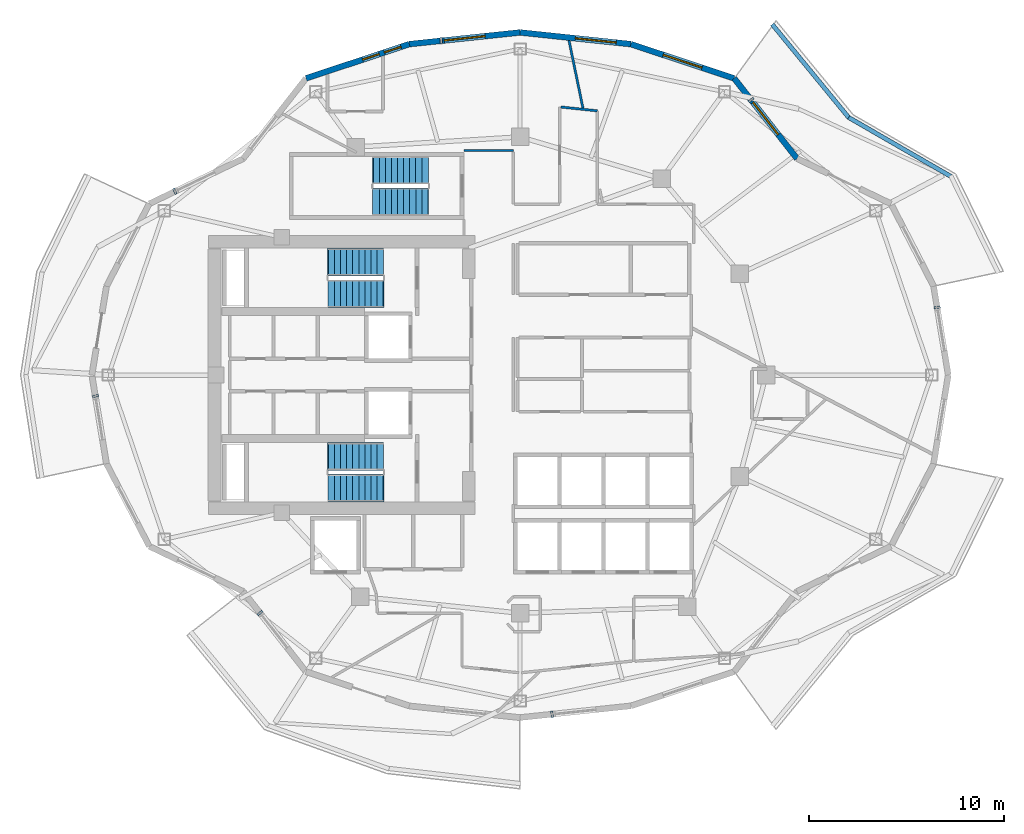
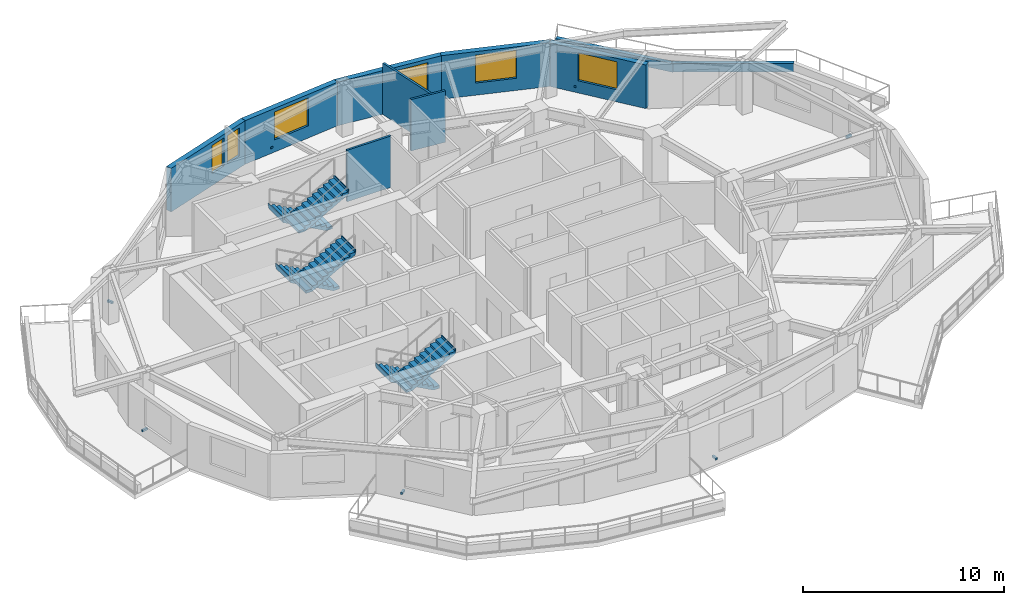
# One storey, part 7 of 10: 10 walls, 7 discrete accessories, 6 stair flights, 6 windows, 6 openings, 3 elements without a shape of their own.
"""IFC4 building model written with IfcOpenShell, lengths in metres."""

from ifc_helpers import new_model, si_unit, direction, frame, frame_2d, origin, origin_2d, place, context, subcontext, project, spatial, polyline, rectangle, outline, extrude, material, layer, layer_set, type_object, element, fill, aggregate, save


model = new_model("IFC4")

# Units and contexts
model_context = context("Model", 3, precision=1e-05, world=origin(), true_north=direction((0.0, 1.0)))
body_context = subcontext(model_context, "Body", "Model", "MODEL_VIEW")
ifc_project = project(units=[si_unit("LENGTHUNIT", "METRE"), si_unit("AREAUNIT", "SQUARE_METRE"), si_unit("VOLUMEUNIT", "CUBIC_METRE"), si_unit("PLANEANGLEUNIT", "RADIAN"), si_unit("MASSUNIT", "GRAM", prefix="KILO")], contexts=[model_context])

# Site, building, storey
site_placement = place(None, origin())
site = spatial("IfcSite", under=ifc_project, at=site_placement, CompositionType="ELEMENT")
building_placement = place(site_placement, origin())
building = spatial("IfcBuilding", under=site, at=building_placement, Name="Kolvaren Gate Tower and Convention Centre", CompositionType="ELEMENT")
storey_placement = place(building_placement, frame((0.0, 0.0, 152.89990234375)))
storey = spatial("IfcBuildingStorey", under=building, at=storey_placement, Name="L39", CompositionType="ELEMENT", Elevation=152.89990234375)

# Walls
ifc_material_1 = material(Name="Fire-Rated Acoustic Gypsum Stud Partition", Category="gypsum")
ifc_layer_1 = layer(ifc_material_1, 0.1201171875)
ifc_layer_set_1 = layer_set([ifc_layer_1], Name="Fire-Rated Acoustic Gypsum Stud Partition")
wall_type_1 = type_object("IfcWallType", Name="ARCH-WL-PART-120", PredefinedType="PARTITIONING", material=ifc_layer_set_1)
wall_1_placement = place(storey_placement, frame((27.25, 38.5, 0.0), z_axis=(0.0, 0.0, 1.0), x_axis=(1.0, 0.0, 0.0)))
element("IfcWall", 1, at=wall_1_placement, inside=storey, type_object=wall_type_1, Name="Interior Partition WL-L39-INT-039", PredefinedType="PARTITIONING", context=body_context, shape_type="SweptSolid", body=[
    extrude(rectangle(XDim=2.530029296875, YDim=0.1201171875, at=frame_2d((1.26513671875, 0.0))), origin(), (0.0, 0.0, 1.0), 3.130126953125),
])
wall_2_placement = place(storey_placement, frame((32.2119140625, 40.73046875, 0.0), z_axis=(0.0, 0.0, 1.0), x_axis=(0.994511860417, -0.104623895405, 0.0)))
element("IfcWall", 2, at=wall_2_placement, inside=storey, type_object=wall_type_1, Name="Interior Partition WL-L39-INT-047", PredefinedType="PARTITIONING", context=body_context, shape_type="SweptSolid", body=[
    extrude(rectangle(XDim=1.87841796875, YDim=0.1201171875, at=frame_2d((0.939208984375, 0.0))), origin(), (0.0, 0.0, 1.0), 3.130126953125),
])
wall_3_placement = place(storey_placement, frame((32.63134765625, 44.13330078125, 0.0), z_axis=(0.0, 0.0, 1.0), x_axis=(0.202079954577, -0.979369027465, 0.0)))
element("IfcWall", 3, at=wall_3_placement, inside=storey, type_object=wall_type_1, Name="Interior Partition WL-L39-INT-065", PredefinedType="PARTITIONING", context=body_context, shape_type="SweptSolid", body=[
    extrude(rectangle(XDim=3.53271484375, YDim=0.1201171875, at=frame_2d((1.766357421875, 0.0))), origin(), (0.0, 0.0, 1.0), 3.130126953125),
])
ifc_material_2 = material(Name="Piedmont Cream Honed Limestone Cladding", Category="masonry")
ifc_layer_2 = layer(ifc_material_2, 0.219970703125)
ifc_layer_set_2 = layer_set([ifc_layer_2], Name="Piedmont Cream Honed Limestone Cladding")
wall_type_2 = type_object("IfcWallType", Name="ARCH-WL-PLANTER-220", PredefinedType="PARAPET", material=ifc_layer_set_2)
wall_4_placement = place(storey_placement, frame((46.95751953125, 40.1953125, 0.0), z_axis=(0.0, 0.0, 1.0), x_axis=(0.866058128659, -0.499943314571, 0.0)))
element("IfcWall", 4, at=wall_4_placement, inside=storey, type_object=wall_type_2, Name="Vertical-Forest Balcony Stone Planter Kerb PK-L39-1.2", PredefinedType="PARAPET", context=body_context, shape_type="SweptSolid", body=[
    extrude(rectangle(XDim=6.060302734375, YDim=0.219970703125, at=frame_2d((3.0302734375, 0.0))), origin(), (0.0, 0.0, 1.0), 0.52001953125),
])
wall_5_placement = place(storey_placement, frame((43.0419921875, 44.96435546875, 0.0), z_axis=(0.0, 0.0, 1.0), x_axis=(0.634429234628, -0.77298094818, 0.0)))
element("IfcWall", 5, at=wall_5_placement, inside=storey, type_object=wall_type_2, Name="Vertical-Forest Balcony Stone Planter Kerb PK-L39-1.3", PredefinedType="PARAPET", context=body_context, shape_type="SweptSolid", body=[
    extrude(rectangle(XDim=6.244873046875, YDim=0.219970703125, at=frame_2d((3.12255859375, 0.0))), origin(), (0.0, 0.0, 1.0), 0.52001953125),
])

# Wall, opening, window
ifc_layer_3 = layer(ifc_material_2, 0.300048828125)
ifc_layer_set_3 = layer_set([ifc_layer_3], Name="Piedmont Cream Honed Limestone Cladding")
wall_type_3 = type_object("IfcWallType", Name="ARCH-WL-STONE-300", PredefinedType="SOLIDWALL", material=ifc_layer_set_3)
wall_6_placement = place(storey_placement, frame((41.09375, 42.19873046875, 0.0), z_axis=(0.0, 0.0, 1.0), x_axis=(0.616429245738, -0.787410302828, 0.0)))
wall_6 = element("IfcWall", 6, at=wall_6_placement, inside=storey, type_object=wall_type_3, Name="Tower L39 Honed Stone Spandrel Wall EW-03", PredefinedType="SOLIDWALL", context=body_context, shape_type="SweptSolid", body=[
    extrude(rectangle(XDim=5.22314453125, YDim=0.300048828125, at=frame_2d((2.611572265625, 0.0))), origin(), (0.0, 0.0, 1.0), 2.653076171875),
])
opening_1_placement = place(wall_6_placement, frame((1.56201171875, 0.0, 0.739990234375)))
opening_1 = element("IfcOpeningElement", 7, at=opening_1_placement, cuts=wall_6, Name="Opening W-02", PredefinedType="OPENING", context=body_context, shape_type="SweptSolid", body=[
    extrude(rectangle(XDim=2.10009765625, YDim=1.699951171875, at=frame_2d((1.050048828125, 0.85009765625))), frame((0.0, 0.159912109375, 0.0), z_axis=(0.0, -1.0, 0.0), x_axis=(1.0, 0.0, 0.0)), (0.0, 0.0, 1.0), 0.320068359375),
])
ifc_material_3 = material(Name="Low-E Triple Insulated Glazing Unit 44 mm", Category="glass")
window_type_1 = type_object("IfcWindowType", Name="ARCH-WN-HTL-2100", PartitioningType="SINGLE_PANEL", PredefinedType="WINDOW", material=ifc_material_3)
window_1_placement = place(opening_1_placement, origin())
window_1 = element("IfcWindow", 8, at=window_1_placement, inside=storey, type_object=window_type_1, Name="Tower L39 Punched Stone Facade Window W-03", OverallHeight=1.699951171875, OverallWidth=2.10009765625, PartitioningType="SINGLE_PANEL", PredefinedType="WINDOW", context=body_context, shape_type="SweptSolid", body=[
    extrude(rectangle(XDim=2.10009765625, YDim=1.699951171875, at=frame_2d((1.050048828125, 0.85009765625))), frame((0.0, 0.030029296875, 0.0), z_axis=(0.0, -1.0, 0.0), x_axis=(1.0, 0.0, 0.0)), (0.0, 0.0, 1.0), 0.06005859375),
])
fill(opening_1, window_1)

wall_7_placement = place(storey_placement, frame((35.802734375, 43.951904296875, 0.0), z_axis=(0.0, 0.0, 1.0), x_axis=(0.949246811547, -0.314532177636, 0.0)))
wall_7 = element("IfcWall", 9, at=wall_7_placement, inside=storey, type_object=wall_type_3, Name="Tower L39 Honed Stone Spandrel Wall EW-04", PredefinedType="SOLIDWALL", context=body_context, shape_type="SweptSolid", body=[
    extrude(rectangle(XDim=5.573974609375, YDim=0.300048828125, at=frame_2d((2.787109375, 0.0))), origin(), (0.0, 0.0, 1.0), 2.653076171875),
])
opening_2_placement = place(wall_7_placement, frame((1.737060546875, 0.0, 0.739990234375)))
opening_2 = element("IfcOpeningElement", 10, at=opening_2_placement, cuts=wall_7, Name="Opening W-02", PredefinedType="OPENING", context=body_context, shape_type="SweptSolid", body=[
    extrude(rectangle(XDim=2.10009765625, YDim=1.699951171875, at=frame_2d((1.050048828125, 0.85009765625))), frame((0.0, 0.159912109375, 0.0), z_axis=(0.0, -1.0, 0.0), x_axis=(1.0, 0.0, 0.0)), (0.0, 0.0, 1.0), 0.320068359375),
])
window_2_placement = place(opening_2_placement, origin())
window_2 = element("IfcWindow", 11, at=window_2_placement, inside=storey, type_object=window_type_1, Name="Tower L39 Punched Stone Facade Window W-04", OverallHeight=1.699951171875, OverallWidth=2.10009765625, PartitioningType="SINGLE_PANEL", PredefinedType="WINDOW", context=body_context, shape_type="SweptSolid", body=[
    extrude(rectangle(XDim=2.10009765625, YDim=1.699951171875, at=frame_2d((1.050048828125, 0.85009765625))), frame((0.0, 0.030029296875, 0.0), z_axis=(0.0, -1.0, 0.0), x_axis=(1.0, 0.0, 0.0)), (0.0, 0.0, 1.0), 0.06005859375),
])
fill(opening_2, window_2)

wall_8_placement = place(storey_placement, frame((30.125, 44.550048828125, 0.0), z_axis=(0.0, 0.0, 1.0), x_axis=(0.994496545245, -0.104769372887, 0.0)))
wall_8 = element("IfcWall", 12, at=wall_8_placement, inside=storey, type_object=wall_type_3, Name="Tower L39 Honed Stone Spandrel Wall EW-05", PredefinedType="SOLIDWALL", context=body_context, shape_type="SweptSolid", body=[
    extrude(rectangle(XDim=5.709228515625, YDim=0.300048828125, at=frame_2d((2.8544921875, 0.0))), origin(), (0.0, 0.0, 1.0), 2.653076171875),
])
opening_3_placement = place(wall_8_placement, frame((2.85009765625, 0.0, 0.739990234375)))
opening_3 = element("IfcOpeningElement", 13, at=opening_3_placement, cuts=wall_8, Name="Opening W-02", PredefinedType="OPENING", context=body_context, shape_type="SweptSolid", body=[
    extrude(rectangle(XDim=2.10009765625, YDim=1.699951171875, at=frame_2d((1.050048828125, 0.85009765625))), frame((0.0, 0.159912109375, 0.0), z_axis=(0.0, -1.0, 0.0), x_axis=(1.0, 0.0, 0.0)), (0.0, 0.0, 1.0), 0.320068359375),
])
window_3_placement = place(opening_3_placement, origin())
window_3 = element("IfcWindow", 14, at=window_3_placement, inside=storey, type_object=window_type_1, Name="Tower L39 Punched Stone Facade Window W-05", OverallHeight=1.699951171875, OverallWidth=2.10009765625, PartitioningType="SINGLE_PANEL", PredefinedType="WINDOW", context=body_context, shape_type="SweptSolid", body=[
    extrude(rectangle(XDim=2.10009765625, YDim=1.699951171875, at=frame_2d((1.050048828125, 0.85009765625))), frame((0.0, 0.030029296875, 0.0), z_axis=(0.0, -1.0, 0.0), x_axis=(1.0, 0.0, 0.0)), (0.0, 0.0, 1.0), 0.06005859375),
])
fill(opening_3, window_3)

wall_9_placement = place(storey_placement, frame((24.447265625, 43.951904296875, 0.0), z_axis=(0.0, 0.0, 1.0), x_axis=(0.994496545245, 0.104769372887, 0.0)))
wall_9 = element("IfcWall", 15, at=wall_9_placement, inside=storey, type_object=wall_type_3, Name="Tower L39 Honed Stone Spandrel Wall EW-06", PredefinedType="SOLIDWALL", context=body_context, shape_type="SweptSolid", body=[
    extrude(rectangle(XDim=5.709228515625, YDim=0.300048828125, at=frame_2d((2.8544921875, 0.0))), origin(), (0.0, 0.0, 1.0), 2.653076171875),
])
opening_4_placement = place(wall_9_placement, frame((1.804931640625, 0.0, 0.739990234375)))
opening_4 = element("IfcOpeningElement", 16, at=opening_4_placement, cuts=wall_9, Name="Opening W-02", PredefinedType="OPENING", context=body_context, shape_type="SweptSolid", body=[
    extrude(rectangle(XDim=2.10009765625, YDim=1.699951171875, at=frame_2d((1.050048828125, 0.85009765625))), frame((0.0, 0.159912109375, 0.0), z_axis=(0.0, -1.0, 0.0), x_axis=(1.0, 0.0, 0.0)), (0.0, 0.0, 1.0), 0.320068359375),
])
window_4_placement = place(opening_4_placement, origin())
window_4 = element("IfcWindow", 17, at=window_4_placement, inside=storey, type_object=window_type_1, Name="Tower L39 Punched Stone Facade Window W-06", OverallHeight=1.699951171875, OverallWidth=2.10009765625, PartitioningType="SINGLE_PANEL", PredefinedType="WINDOW", context=body_context, shape_type="SweptSolid", body=[
    extrude(rectangle(XDim=2.10009765625, YDim=1.699951171875, at=frame_2d((1.050048828125, 0.85009765625))), frame((0.0, 0.030029296875, 0.0), z_axis=(0.0, -1.0, 0.0), x_axis=(1.0, 0.0, 0.0)), (0.0, 0.0, 1.0), 0.06005859375),
])
fill(opening_4, window_4)

# Wall, openings, windows
wall_10_placement = place(storey_placement, frame((19.15625, 42.19873046875, 0.0), z_axis=(0.0, 0.0, 1.0), x_axis=(0.949246811547, 0.314532177636, 0.0)))
wall_10 = element("IfcWall", 18, at=wall_10_placement, inside=storey, type_object=wall_type_3, Name="Tower L39 Honed Stone Spandrel Wall EW-07", PredefinedType="SOLIDWALL", context=body_context, shape_type="SweptSolid", body=[
    extrude(rectangle(XDim=5.573974609375, YDim=0.300048828125, at=frame_2d((2.787109375, 0.0))), origin(), (0.0, 0.0, 1.0), 2.653076171875),
])
opening_5_placement = place(wall_10_placement, frame((3.05322265625, 0.0, 0.739990234375)))
opening_5 = element("IfcOpeningElement", 19, at=opening_5_placement, cuts=wall_10, Name="Opening W-06", PredefinedType="OPENING", context=body_context, shape_type="SweptSolid", body=[
    extrude(rectangle(XDim=0.89990234375, YDim=1.699951171875, at=frame_2d((0.449951171875, 0.85009765625))), frame((0.0, 0.159912109375, 0.0), z_axis=(0.0, -1.0, 0.0), x_axis=(1.0, 0.0, 0.0)), (0.0, 0.0, 1.0), 0.320068359375),
])
opening_6_placement = place(wall_10_placement, frame((4.234130859375, 0.0, 0.739990234375)))
opening_6 = element("IfcOpeningElement", 20, at=opening_6_placement, cuts=wall_10, Name="Opening W-06", PredefinedType="OPENING", context=body_context, shape_type="SweptSolid", body=[
    extrude(rectangle(XDim=0.89990234375, YDim=1.699951171875, at=frame_2d((0.449951171875, 0.85009765625))), frame((0.0, 0.159912109375, 0.0), z_axis=(0.0, -1.0, 0.0), x_axis=(1.0, 0.0, 0.0)), (0.0, 0.0, 1.0), 0.320068359375),
])
window_type_2 = type_object("IfcWindowType", Name="ARCH-WN-PUNCH-900", PartitioningType="SINGLE_PANEL", PredefinedType="WINDOW", material=ifc_material_3)
window_5_placement = place(opening_5_placement, origin())
window_5 = element("IfcWindow", 21, at=window_5_placement, inside=storey, type_object=window_type_2, Name="Tower L39 Punched Stone Facade Window W-07", OverallHeight=1.699951171875, OverallWidth=0.89990234375, PartitioningType="SINGLE_PANEL", PredefinedType="WINDOW", context=body_context, shape_type="SweptSolid", body=[
    extrude(rectangle(XDim=0.89990234375, YDim=1.699951171875, at=frame_2d((0.449951171875, 0.85009765625))), frame((0.0, 0.030029296875, 0.0), z_axis=(0.0, -1.0, 0.0), x_axis=(1.0, 0.0, 0.0)), (0.0, 0.0, 1.0), 0.06005859375),
])
fill(opening_5, window_5)
window_6_placement = place(opening_6_placement, origin())
window_6 = element("IfcWindow", 22, at=window_6_placement, inside=storey, type_object=window_type_2, Name="Tower L39 Punched Stone Facade Window W-07B", OverallHeight=1.699951171875, OverallWidth=0.89990234375, PartitioningType="SINGLE_PANEL", PredefinedType="WINDOW", context=body_context, shape_type="SweptSolid", body=[
    extrude(rectangle(XDim=0.89990234375, YDim=1.699951171875, at=frame_2d((0.449951171875, 0.85009765625))), frame((0.0, 0.030029296875, 0.0), z_axis=(0.0, -1.0, 0.0), x_axis=(1.0, 0.0, 0.0)), (0.0, 0.0, 1.0), 0.06005859375),
])
fill(opening_6, window_6)

# Stair, stair flights
ifc_material_4 = material(Name="Concrete C50/60", Category="concrete")
stair_type = type_object("IfcStairType", Name="STR-STAIR-CORE", PredefinedType="HALF_TURN_STAIR", material=ifc_material_4)
stair_1_placement = place(storey_placement, origin())
stair_1 = element("IfcStair", 23, at=stair_1_placement, inside=storey, type_object=stair_type, Name="L39 Tower North Exit Stair ST-T1", PredefinedType="HALF_TURN_STAIR")
stair_flight_type = type_object("IfcStairFlightType", Name="STR-SFL-1420", PredefinedType="STRAIGHT", material=ifc_material_4)
stair_flight_1_placement = place(storey_placement, frame((23.10009765625, 32.7900390625, 0.0), z_axis=(0.0, 0.0, 1.0), x_axis=(-1.0, 0.0, 0.0)))
stair_flight_1 = element("IfcStairFlight", 24, at=stair_flight_1_placement, type_object=stair_flight_type, Name="ST-T1 flight 1", NumberOfRisers=10, NumberOfTreads=9, PredefinedType="STRAIGHT", RiserHeight=0.17, TreadLength=0.31, context=body_context, shape_type="SweptSolid", body=[
    extrude(outline(polyline([(-0.034912109375, 0.0), (-0.034912109375, 0.169921875), (0.31005859375, 0.169921875), (0.31005859375, 0.340087890625), (0.6201171875, 0.340087890625), (0.6201171875, 0.510009765625), (0.929931640625, 0.510009765625), (0.929931640625, 0.679931640625), (1.239990234375, 0.679931640625), (1.239990234375, 0.85009765625), (1.550048828125, 0.85009765625), (1.550048828125, 1.02001953125), (1.860107421875, 1.02001953125), (1.860107421875, 1.18994140625), (2.169921875, 1.18994140625), (2.169921875, 1.360107421875), (2.47998046875, 1.360107421875), (2.47998046875, 1.530029296875), (2.7900390625, 1.530029296875), (2.7900390625, 1.699951171875), (2.8349609375, 1.699951171875), (2.8349609375, 1.5400390625), (2.7900390625, 1.359130859375), (0.311767578125, 0.0), (-0.034912109375, 0.0)])), frame((0.0, 0.7099609375, 0.0), z_axis=(0.0, -1.0, 0.0), x_axis=(1.0, 0.0, 0.0)), (0.0, 0.0, 1.0), 1.419921875),
])
stair_flight_2_placement = place(storey_placement, frame((20.31005859375, 31.169921875, 1.7001953125), z_axis=(0.0, 0.0, 1.0), x_axis=(1.0, 0.0, 0.0)))
stair_flight_2 = element("IfcStairFlight", 25, at=stair_flight_2_placement, type_object=stair_flight_type, Name="ST-T1 flight 2", NumberOfRisers=10, NumberOfTreads=9, PredefinedType="STRAIGHT", RiserHeight=0.17, TreadLength=0.31, context=body_context, shape_type="SweptSolid", body=[
    extrude(outline(polyline([(-0.034912109375, 0.0), (-0.034912109375, 0.169921875), (0.31005859375, 0.169921875), (0.31005859375, 0.340087890625), (0.6201171875, 0.340087890625), (0.6201171875, 0.510009765625), (0.929931640625, 0.510009765625), (0.929931640625, 0.679931640625), (1.239990234375, 0.679931640625), (1.239990234375, 0.85009765625), (1.550048828125, 0.85009765625), (1.550048828125, 1.02001953125), (1.860107421875, 1.02001953125), (1.860107421875, 1.18994140625), (2.169921875, 1.18994140625), (2.169921875, 1.360107421875), (2.47998046875, 1.360107421875), (2.47998046875, 1.530029296875), (2.7900390625, 1.530029296875), (2.7900390625, 1.699951171875), (2.8349609375, 1.699951171875), (2.8349609375, 1.5400390625), (2.7900390625, 1.359130859375), (0.311767578125, 0.0), (-0.034912109375, 0.0)])), frame((0.0, 0.7099609375, 0.0), z_axis=(0.0, -1.0, 0.0), x_axis=(1.0, 0.0, 0.0)), (0.0, 0.0, 1.0), 1.419921875),
])
aggregate(stair_1, [stair_flight_1, stair_flight_2])

stair_2_placement = place(storey_placement, origin())
stair_2 = element("IfcStair", 26, at=stair_2_placement, inside=storey, type_object=stair_type, Name="L39 Tower South Exit Stair ST-T2", PredefinedType="HALF_TURN_STAIR")
stair_flight_3_placement = place(storey_placement, frame((23.10009765625, 22.830078125, 0.0), z_axis=(0.0, 0.0, 1.0), x_axis=(-1.0, 0.0, 0.0)))
stair_flight_3 = element("IfcStairFlight", 27, at=stair_flight_3_placement, type_object=stair_flight_type, Name="ST-T2 flight 1", NumberOfRisers=10, NumberOfTreads=9, PredefinedType="STRAIGHT", RiserHeight=0.17, TreadLength=0.31, context=body_context, shape_type="SweptSolid", body=[
    extrude(outline(polyline([(-0.034912109375, 0.0), (-0.034912109375, 0.169921875), (0.31005859375, 0.169921875), (0.31005859375, 0.340087890625), (0.6201171875, 0.340087890625), (0.6201171875, 0.510009765625), (0.929931640625, 0.510009765625), (0.929931640625, 0.679931640625), (1.239990234375, 0.679931640625), (1.239990234375, 0.85009765625), (1.550048828125, 0.85009765625), (1.550048828125, 1.02001953125), (1.860107421875, 1.02001953125), (1.860107421875, 1.18994140625), (2.169921875, 1.18994140625), (2.169921875, 1.360107421875), (2.47998046875, 1.360107421875), (2.47998046875, 1.530029296875), (2.7900390625, 1.530029296875), (2.7900390625, 1.699951171875), (2.8349609375, 1.699951171875), (2.8349609375, 1.5400390625), (2.7900390625, 1.359130859375), (0.311767578125, 0.0), (-0.034912109375, 0.0)])), frame((0.0, 0.7099609375, 0.0), z_axis=(0.0, -1.0, 0.0), x_axis=(1.0, 0.0, 0.0)), (0.0, 0.0, 1.0), 1.419921875),
])
stair_flight_4_placement = place(storey_placement, frame((20.31005859375, 21.2099609375, 1.7001953125), z_axis=(0.0, 0.0, 1.0), x_axis=(1.0, 0.0, 0.0)))
stair_flight_4 = element("IfcStairFlight", 28, at=stair_flight_4_placement, type_object=stair_flight_type, Name="ST-T2 flight 2", NumberOfRisers=10, NumberOfTreads=9, PredefinedType="STRAIGHT", RiserHeight=0.17, TreadLength=0.31, context=body_context, shape_type="SweptSolid", body=[
    extrude(outline(polyline([(-0.034912109375, 0.0), (-0.034912109375, 0.169921875), (0.31005859375, 0.169921875), (0.31005859375, 0.340087890625), (0.6201171875, 0.340087890625), (0.6201171875, 0.510009765625), (0.929931640625, 0.510009765625), (0.929931640625, 0.679931640625), (1.239990234375, 0.679931640625), (1.239990234375, 0.85009765625), (1.550048828125, 0.85009765625), (1.550048828125, 1.02001953125), (1.860107421875, 1.02001953125), (1.860107421875, 1.18994140625), (2.169921875, 1.18994140625), (2.169921875, 1.360107421875), (2.47998046875, 1.360107421875), (2.47998046875, 1.530029296875), (2.7900390625, 1.530029296875), (2.7900390625, 1.699951171875), (2.8349609375, 1.699951171875), (2.8349609375, 1.5400390625), (2.7900390625, 1.359130859375), (0.311767578125, 0.0), (-0.034912109375, 0.0)])), frame((0.0, 0.7099609375, 0.0), z_axis=(0.0, -1.0, 0.0), x_axis=(1.0, 0.0, 0.0)), (0.0, 0.0, 1.0), 1.419921875),
])
aggregate(stair_2, [stair_flight_3, stair_flight_4])

stair_3_placement = place(storey_placement, origin())
stair_3 = element("IfcStair", 29, at=stair_3_placement, inside=storey, type_object=stair_type, Name="L39 Tower Mid-Zone Exit Stair ST-T3", PredefinedType="HALF_TURN_STAIR")
stair_flight_5_placement = place(storey_placement, frame((25.39990234375, 37.489990234375, 0.0), z_axis=(0.0, 0.0, 1.0), x_axis=(-1.0, 0.0, 0.0)))
stair_flight_5 = element("IfcStairFlight", 30, at=stair_flight_5_placement, type_object=stair_flight_type, Name="ST-T3 flight 1", NumberOfRisers=10, NumberOfTreads=9, PredefinedType="STRAIGHT", RiserHeight=0.17, TreadLength=0.31, context=body_context, shape_type="SweptSolid", body=[
    extrude(outline(polyline([(-0.034912109375, 0.0), (-0.034912109375, 0.169921875), (0.31005859375, 0.169921875), (0.31005859375, 0.340087890625), (0.6201171875, 0.340087890625), (0.6201171875, 0.510009765625), (0.929931640625, 0.510009765625), (0.929931640625, 0.679931640625), (1.239990234375, 0.679931640625), (1.239990234375, 0.85009765625), (1.550048828125, 0.85009765625), (1.550048828125, 1.02001953125), (1.860107421875, 1.02001953125), (1.860107421875, 1.18994140625), (2.169921875, 1.18994140625), (2.169921875, 1.360107421875), (2.47998046875, 1.360107421875), (2.47998046875, 1.530029296875), (2.7900390625, 1.530029296875), (2.7900390625, 1.699951171875), (2.8349609375, 1.699951171875), (2.8349609375, 1.5400390625), (2.7900390625, 1.359130859375), (0.311767578125, 0.0), (-0.034912109375, 0.0)])), frame((0.0, 0.7099609375, 0.0), z_axis=(0.0, -1.0, 0.0), x_axis=(1.0, 0.0, 0.0)), (0.0, 0.0, 1.0), 1.419921875),
])
stair_flight_6_placement = place(storey_placement, frame((22.610107421875, 35.8701171875, 1.7001953125), z_axis=(0.0, 0.0, 1.0), x_axis=(1.0, 0.0, 0.0)))
stair_flight_6 = element("IfcStairFlight", 31, at=stair_flight_6_placement, type_object=stair_flight_type, Name="ST-T3 flight 2", NumberOfRisers=10, NumberOfTreads=9, PredefinedType="STRAIGHT", RiserHeight=0.17, TreadLength=0.31, context=body_context, shape_type="SweptSolid", body=[
    extrude(outline(polyline([(-0.034912109375, 0.0), (-0.034912109375, 0.169921875), (0.31005859375, 0.169921875), (0.31005859375, 0.340087890625), (0.6201171875, 0.340087890625), (0.6201171875, 0.510009765625), (0.929931640625, 0.510009765625), (0.929931640625, 0.679931640625), (1.239990234375, 0.679931640625), (1.239990234375, 0.85009765625), (1.550048828125, 0.85009765625), (1.550048828125, 1.02001953125), (1.860107421875, 1.02001953125), (1.860107421875, 1.18994140625), (2.169921875, 1.18994140625), (2.169921875, 1.360107421875), (2.47998046875, 1.360107421875), (2.47998046875, 1.530029296875), (2.7900390625, 1.530029296875), (2.7900390625, 1.699951171875), (2.8349609375, 1.699951171875), (2.8349609375, 1.5400390625), (2.7900390625, 1.359130859375), (0.311767578125, 0.0), (-0.034912109375, 0.0)])), frame((0.0, 0.7099609375, 0.0), z_axis=(0.0, -1.0, 0.0), x_axis=(1.0, 0.0, 0.0)), (0.0, 0.0, 1.0), 1.419921875),
])
aggregate(stair_3, [stair_flight_5, stair_flight_6])

# Discrete accessories
ifc_material_5 = material(Name="Anodized Architectural Aluminium Alloy 6063-T6", Category="aluminium")
discrete_accessory_type = type_object("IfcDiscreteAccessoryType", Name="ARCH-ACC-BRACKET-120", PredefinedType="BRACKET", material=ifc_material_5)
for number, where, z_axis, x_axis, name in (
    (32, (51.4921875, 30.46484375, 0.2900390625), (0.0, 0.0, 1.0), (0.162380568014, -0.986728205298, 0.0), "Ceramic Fin Wall Anchor Bracket FBK-L39-00"),
    (33, (41.9580078125, 41.0947265625, 0.2900390625), (0.0, 0.0, 1.0), (0.616434119112, -0.787406487651, 0.0), "Ceramic Fin Wall Anchor Bracket FBK-L39-03"),
    (34, (26.083251953125, 44.124267578125, 0.2900390625), (0.0, 0.0, 1.0), (0.994499249941, 0.104743696069, 0.0), "Ceramic Fin Wall Anchor Bracket FBK-L39-06"),
    (35, (12.44091796875, 36.406494140625, 0.2900390625), (0.0, 0.0, 1.0), (0.901358389955, 0.433073957723, 0.0), "Ceramic Fin Wall Anchor Bracket FBK-L39-09"),
    (36, (8.36474609375, 25.922607421875, 0.2900390625), (0.0, 0.0, 1.0), (0.162380568014, -0.986728205298, 0.0), "Ceramic Fin Wall Anchor Bracket FBK-L39-12"),
    (37, (16.80078125, 14.81005859375, 0.2900390625), (0.0, 0.0, 1.0), (0.616434119112, -0.787406487651, 0.0), "Ceramic Fin Wall Anchor Bracket FBK-L39-15"),
    (38, (31.760986328125, 9.622314453125, 0.2900390625), (0.0, 0.0, 1.0), (0.994499249941, 0.104743696069, 0.0), "Ceramic Fin Wall Anchor Bracket FBK-L39-18"),
):
    element("IfcDiscreteAccessory", number, at=place(storey_placement, frame(where, z_axis=z_axis, x_axis=x_axis)), inside=storey, type_object=discrete_accessory_type, Name=name, PredefinedType="BRACKET", context=body_context, shape_type="SweptSolid", body=[
        extrude(rectangle(XDim=0.1201171875, YDim=0.320068359375, at=origin_2d()), origin(), (0.0, 0.0, 1.0), 0.1201171875),
    ])

save(model, "model.ifc")
